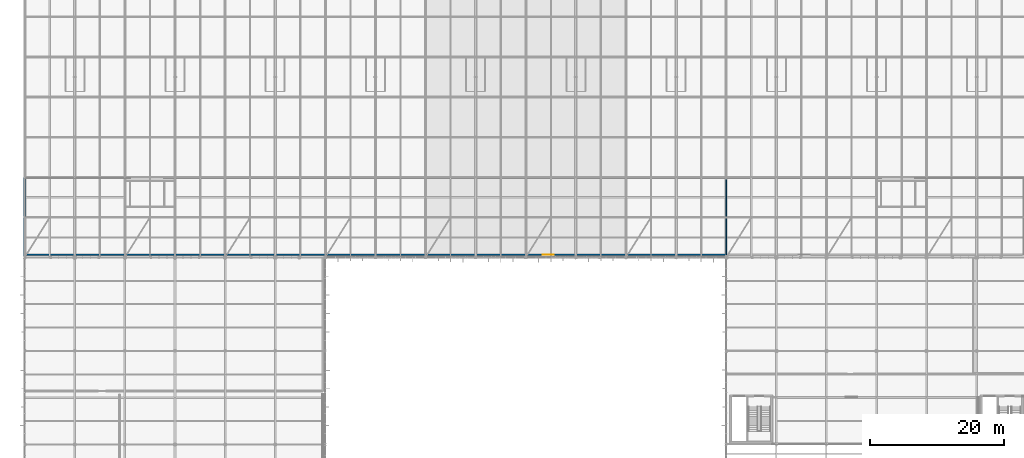
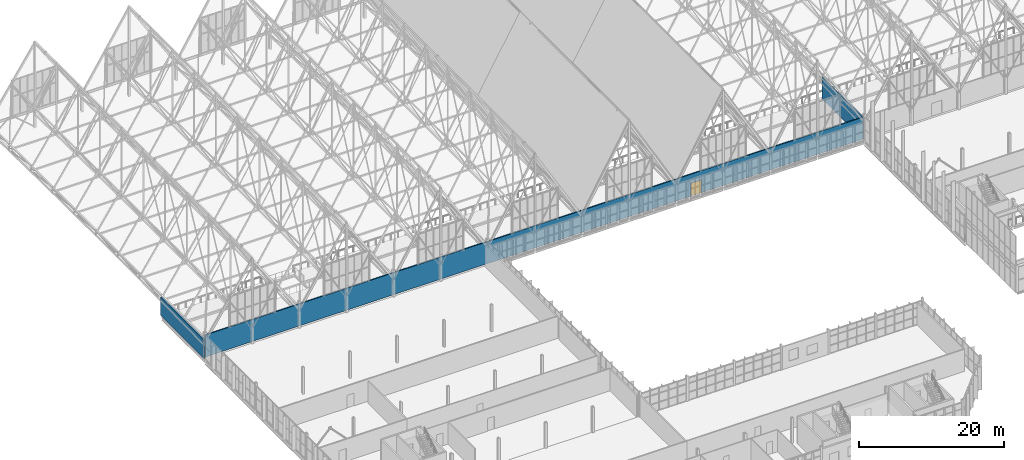
# One storey, part 309 of 324: 3 walls, 1 door, 1 opening.
"""IFC4 building model written with IfcOpenShell, lengths in metres."""

import ifcopenshell
import ifcopenshell.guid

model = None  # the IFC model being written
_history = None  # IfcOwnerHistory: only IFC2X3 demands one
_inside = {}  # id of a spatial element -> (the spatial element, [elements in it])
_under = {}  # id of a project, library or spatial element -> (it, [spatial elements below it])
_declared = {}  # id of a project -> (the project, [libraries it declares])
_typed = {}  # id of a type object -> (the type object, [elements of that type])
_made_of = {}  # id of a material, layer set ... -> (it, [elements and type objects made of it])


def new_model(schema):
    """Start an empty IFC model of exactly this schema.

    Asked for "IFC4X3", IfcOpenShell would pick the latest addendum, in which some entities
    have other attributes; the version numbers below select the first issue.
    IFC2X3 requires an IfcOwnerHistory on every rooted entity: one is made here for all.
    """
    global model, _history
    if schema == "IFC4X3":
        model = ifcopenshell.file(schema_version=(4, 3, 0, 0))
    else:
        model = ifcopenshell.file(schema=schema)
    _inside.clear()
    _under.clear()
    _declared.clear()
    _typed.clear()
    _made_of.clear()
    _history = None
    if model.schema == "IFC2X3":
        org = make("IfcOrganization", Name="unknown")
        user = make(
            "IfcPersonAndOrganization",
            ThePerson=make("IfcPerson", FamilyName="unknown"),
            TheOrganization=org,
        )
        app = make(
            "IfcApplication",
            ApplicationDeveloper=org,
            Version="unknown",
            ApplicationFullName="unknown",
            ApplicationIdentifier="unknown",
        )
        _history = make(
            "IfcOwnerHistory",
            OwningUser=user,
            OwningApplication=app,
            ChangeAction="ADDED",
            CreationDate=0,
        )
    return model


def make(cls, **values):
    """One entity of the class cls with the attributes given. An attribute that is None is left unset."""
    return model.create_entity(
        cls, **{name: value for name, value in values.items() if value is not None}
    )


def rooted(cls, **values):
    """An entity with a GlobalId (a new one), such as an element, a storey or a relation."""
    return make(cls, GlobalId=ifcopenshell.guid.new(), OwnerHistory=_history, **values)


def si_unit(unit_type, name, prefix=None):
    """IfcSIUnit, for example si_unit("LENGTHUNIT", "METRE", prefix="MILLI")."""
    return make("IfcSIUnit", UnitType=unit_type, Prefix=prefix, Name=name)


def assignment(units):
    """IfcUnitAssignment: the units of a project."""
    return None if units is None else make("IfcUnitAssignment", Units=units)


def point(xyz):
    """IfcCartesianPoint."""
    return None if xyz is None else make("IfcCartesianPoint", Coordinates=xyz)


def direction(xyz):
    """IfcDirection."""
    return None if xyz is None else make("IfcDirection", DirectionRatios=xyz)


def frame(location, z_axis=None, x_axis=None):
    """IfcAxis2Placement3D, a coordinate frame: its origin and axes. An axis left out is left unset."""
    return make(
        "IfcAxis2Placement3D",
        Location=point(location),
        Axis=direction(z_axis),
        RefDirection=direction(x_axis),
    )


def frame_2d(location, x_axis=None):
    """IfcAxis2Placement2D, a coordinate frame in the plane: its origin and x axis."""
    return make(
        "IfcAxis2Placement2D", Location=point(location), RefDirection=direction(x_axis)
    )


def origin():
    """The frame at (0, 0, 0) with its axes left unset."""
    return frame((0.0, 0.0, 0.0))


def place(relative_to, where):
    """IfcLocalPlacement: puts the frame where relative to a parent placement (None: the world)."""
    return make(
        "IfcLocalPlacement", PlacementRelTo=relative_to, RelativePlacement=where
    )


def context(
    kind, dimensions, precision=None, world=None, true_north=None, identifier=None
):
    """IfcGeometricRepresentationContext, for example the 3D "Model" context."""
    return make(
        "IfcGeometricRepresentationContext",
        ContextIdentifier=identifier,
        ContextType=kind,
        CoordinateSpaceDimension=dimensions,
        Precision=precision,
        WorldCoordinateSystem=world,
        TrueNorth=true_north,
    )


def subcontext(parent, identifier, kind, view, scale=None):
    """IfcGeometricRepresentationSubContext, for example "Body" below "Model"."""
    return make(
        "IfcGeometricRepresentationSubContext",
        ContextIdentifier=identifier,
        ContextType=kind,
        ParentContext=parent,
        TargetScale=scale,
        TargetView=view,
    )


def project(units=None, contexts=None):
    """IfcProject with its units and contexts."""
    return rooted(
        "IfcProject",
        Name="project",
        RepresentationContexts=contexts,
        UnitsInContext=assignment(units),
    )


def spatial(cls, under=None, at=None, **own):
    """A site, building, storey or space (cls), placed at a placement, below another one or the project."""
    s = rooted(cls, ObjectPlacement=at, **own)
    if under is not None:
        _under.setdefault(under.id(), (under, []))[1].append(s)
    return s


def profile(cls, at=None, kind="AREA", **sizes):
    """A parametric profile (cls). Its sizes go by their IFC names, for example OverallWidth=200.0."""
    return make(cls, ProfileType=kind, Position=at, **sizes)


def rectangle(**sizes):
    """IfcRectangleProfileDef."""
    return profile("IfcRectangleProfileDef", **sizes)


def extrude(swept, where, along, depth):
    """IfcExtrudedAreaSolid: the profile swept, set in the frame where, extruded along a direction by depth."""
    return make(
        "IfcExtrudedAreaSolid",
        SweptArea=swept,
        Position=where,
        ExtrudedDirection=direction(along),
        Depth=depth,
    )


def shape(context_of_items, identifier, shape_type, items):
    """IfcShapeRepresentation: the items that make up one representation, for example the "Body"."""
    return make(
        "IfcShapeRepresentation",
        ContextOfItems=context_of_items,
        RepresentationIdentifier=identifier,
        RepresentationType=shape_type,
        Items=items,
    )


def material(Name=None, Category=None):
    """IfcMaterial."""
    return make("IfcMaterial", Name=Name, Category=Category)


def layer(
    of_material, thickness, ventilated=None, Name=None, Category=None, Priority=None
):
    """IfcMaterialLayer: one layer of a wall or slab, of a material (None: an air gap)."""
    return make(
        "IfcMaterialLayer",
        Material=of_material,
        LayerThickness=thickness,
        IsVentilated=ventilated,
        Name=Name,
        Category=Category,
        Priority=Priority,
    )


def layer_set(layers, Name=None):
    """IfcMaterialLayerSet."""
    return make("IfcMaterialLayerSet", MaterialLayers=layers, LayerSetName=Name)


def made_of(thing, what):
    """Note that an element or type object is made of a material, layer set ...; save() writes the relation."""
    if what is not None:
        _made_of.setdefault(what.id(), (what, []))[1].append(thing)
    return thing


def type_object(cls, material=None, **own):
    """A type object (cls), such as IfcWallType, which elements share."""
    return made_of(rooted(cls, **own), material)


def element(
    cls,
    number,
    at=None,
    inside=None,
    cuts=None,
    type_object=None,
    material=None,
    context=None,
    identifier="Body",
    shape_type=None,
    held_by="IfcProductDefinitionShape",
    body=None,
    shapes=None,
    **own,
):
    """One element of the class cls, such as IfcWall. Its Tag is "e" and its number.

    at: its placement. inside: the storey or other place that contains it. cuts: it is an
    opening in that element (IfcRelVoidsElement). A single representation is given by context,
    identifier, shape_type and body (its items); several are given by shapes. held_by: the class
    of the entity that holds the representations. save() writes the other relations.
    """
    e = rooted(cls, Tag="e%d" % number, ObjectPlacement=at, **own)
    if body is not None:
        shapes = [shape(context, identifier, shape_type, body)]
    if shapes is not None:
        e.Representation = make(held_by, Representations=shapes)
    if inside is not None:
        _inside.setdefault(inside.id(), (inside, []))[1].append(e)
    if cuts is not None:
        rooted(
            "IfcRelVoidsElement", RelatingBuildingElement=cuts, RelatedOpeningElement=e
        )
    if type_object is not None:
        _typed.setdefault(type_object.id(), (type_object, []))[1].append(e)
    return made_of(e, material)


def fill(opening, filler):
    """IfcRelFillsElement: the door or window that sits in an opening."""
    return rooted(
        "IfcRelFillsElement",
        RelatingOpeningElement=opening,
        RelatedBuildingElement=filler,
    )


def aggregate(whole, parts):
    """IfcRelAggregates: a whole, such as a stair, and the parts it consists of."""
    return rooted("IfcRelAggregates", RelatingObject=whole, RelatedObjects=parts)


def save(model, path):
    """Write the relations noted so far, then the file.

    IfcRelAggregates (storeys below a building ...), IfcRelContainedInSpatialStructure (elements
    in a storey), IfcRelDefinesByType, IfcRelAssociatesMaterial and IfcRelDeclares: one each for
    every whole, place, type object, material and project.
    """
    for whole, parts in _under.values():
        aggregate(whole, parts)
    for where, things in _inside.values():
        rooted(
            "IfcRelContainedInSpatialStructure",
            RelatedElements=things,
            RelatingStructure=where,
        )
    for kind, things in _typed.values():
        rooted("IfcRelDefinesByType", RelatedObjects=things, RelatingType=kind)
    for what, things in _made_of.values():
        rooted("IfcRelAssociatesMaterial", RelatedObjects=things, RelatingMaterial=what)
    for by, libraries in _declared.values():
        rooted("IfcRelDeclares", RelatingContext=by, RelatedDefinitions=libraries)
    model.write(path)


model = new_model("IFC4")

# Units and contexts
model_context = context("Model", 3, precision=1e-05, world=origin(), true_north=direction((0.0, 1.0)))
body_context = subcontext(model_context, "Body", "Model", "MODEL_VIEW")
ifc_project = project(units=[si_unit("LENGTHUNIT", "METRE"), si_unit("AREAUNIT", "SQUARE_METRE"), si_unit("VOLUMEUNIT", "CUBIC_METRE"), si_unit("PLANEANGLEUNIT", "RADIAN"), si_unit("MASSUNIT", "GRAM", prefix="KILO")], contexts=[model_context])

# Site, building, storey
site_placement = place(None, origin())
site = spatial("IfcSite", under=ifc_project, at=site_placement, CompositionType="ELEMENT")
building_placement = place(site_placement, origin())
building = spatial("IfcBuilding", under=site, at=building_placement, Name="Solvenia Promenade Tram Depot", CompositionType="ELEMENT")
storey_placement = place(building_placement, frame((0.0, 0.0, 4.5)))
storey = spatial("IfcBuildingStorey", under=building, at=storey_placement, Name="L01", CompositionType="ELEMENT", Elevation=4.5)

# Wall
ifc_material_1 = material(Name="Concrete blockwork masonry", Category="masonry")
ifc_layer_1 = layer(ifc_material_1, 0.159912109375, Name="Concrete blockwork masonry", Category="masonry")
ifc_layer_set_1 = layer_set([ifc_layer_1], Name="Concrete blockwork masonry")
wall_type_1 = type_object("IfcWallType", Name="Wall-Masonry-160", PredefinedType="PARTITIONING", material=ifc_layer_set_1)
wall_1_placement = place(storey_placement, frame((105.0, 66.39990234375, 0.0), z_axis=(0.0, 0.0, 1.0), x_axis=(0.0, 1.0, 0.0)))
element("IfcWall", 1, at=wall_1_placement, inside=storey, type_object=wall_type_1, Name="Catenary Inspection Walkway Dividing Wall WP-L01-051", PredefinedType="PARTITIONING", context=body_context, shape_type="SweptSolid", body=[
    extrude(rectangle(XDim=11.2001953125, YDim=0.159912109375, at=frame_2d((5.60009765625, 0.0))), origin(), (0.0, 0.0, 1.0), 3.699951171875),
])

# Wall, opening, door
ifc_layer_2 = layer(ifc_material_1, 0.175048828125, Name="Concrete blockwork masonry", Category="masonry")
ifc_layer_set_2 = layer_set([ifc_layer_2], Name="Concrete blockwork masonry")
wall_type_2 = type_object("IfcWallType", Name="Wall-Masonry-175", PredefinedType="PARTITIONING", material=ifc_layer_set_2)
wall_2_placement = place(storey_placement, frame((0.159912109375, 66.39990234375, 0.0), z_axis=(0.0, 0.0, 1.0), x_axis=(1.0, 0.0, 0.0)))
wall_2 = element("IfcWall", 2, at=wall_2_placement, inside=storey, type_object=wall_type_2, Name="Catenary Inspection Walkway Partition WP-L01-050", PredefinedType="PARTITIONING", context=body_context, shape_type="SweptSolid", body=[
    extrude(rectangle(XDim=104.840087890625, YDim=0.175048828125, at=frame_2d((52.419921875, 0.0))), origin(), (0.0, 0.0, 1.0), 3.699951171875),
])
opening_placement = place(wall_2_placement, frame((77.4150390625, 0.0, 0.0)))
opening = element("IfcOpeningElement", 3, at=opening_placement, cuts=wall_2, Name="Opening DR-30", PredefinedType="OPENING", context=body_context, shape_type="SweptSolid", body=[
    extrude(rectangle(XDim=1.6201171875, YDim=2.179931640625, at=frame_2d((0.81005859375, 1.08984375))), frame((0.0, 0.097412109375, 0.0), z_axis=(0.0, -1.0, 0.0), x_axis=(1.0, 0.0, 0.0)), (0.0, 0.0, 1.0), 0.195068359375),
])
ifc_material_2 = material(Name="Galvanized painted sheet steel", Category="steel")
door_type = type_object("IfcDoorType", Name="Door-Room-1620x2180", OperationType="NOTDEFINED", PredefinedType="DOOR", material=ifc_material_2)
door_placement = place(opening_placement, origin())
door = element("IfcDoor", 4, at=door_placement, inside=storey, type_object=door_type, Name="Door to Catenary Inspection Walkway", OperationType="SINGLE_SWING_RIGHT", OverallHeight=2.179931640625, OverallWidth=1.6201171875, PredefinedType="DOOR", context=body_context, shape_type="SweptSolid", body=[
    extrude(rectangle(XDim=1.6201171875, YDim=2.179931640625, at=frame_2d((0.81005859375, 1.08984375))), frame((0.0, 0.02490234375, 0.0), z_axis=(0.0, -1.0, 0.0), x_axis=(1.0, 0.0, 0.0)), (0.0, 0.0, 1.0), 0.050048828125),
])
fill(opening, door)

# Wall
ifc_material_3 = material(Name="Concrete C35/45", Category="concrete")
ifc_layer_3 = layer(ifc_material_3, 0.239990234375, Name="Concrete C35/45", Category="concrete")
ifc_layer_set_3 = layer_set([ifc_layer_3], Name="Concrete C35/45")
wall_type_3 = type_object("IfcWallType", Name="Wall-Spandrel-240", PredefinedType="SOLIDWALL", material=ifc_layer_set_3)
wall_3_placement = place(storey_placement, frame((0.0, 66.080078125, 0.0), z_axis=(0.0, 0.0, 1.0), x_axis=(0.0, 1.0, 0.0)))
element("IfcWall", 5, at=wall_3_placement, inside=storey, type_object=wall_type_3, Name="L01 Gallery West End Wall EW-L01-101", PredefinedType="SOLIDWALL", context=body_context, shape_type="SweptSolid", body=[
    extrude(rectangle(XDim=12.0, YDim=0.239990234375, at=frame_2d((6.0, 0.0))), origin(), (0.0, 0.0, 1.0), 3.10009765625),
])

save(model, "model.ifc")
